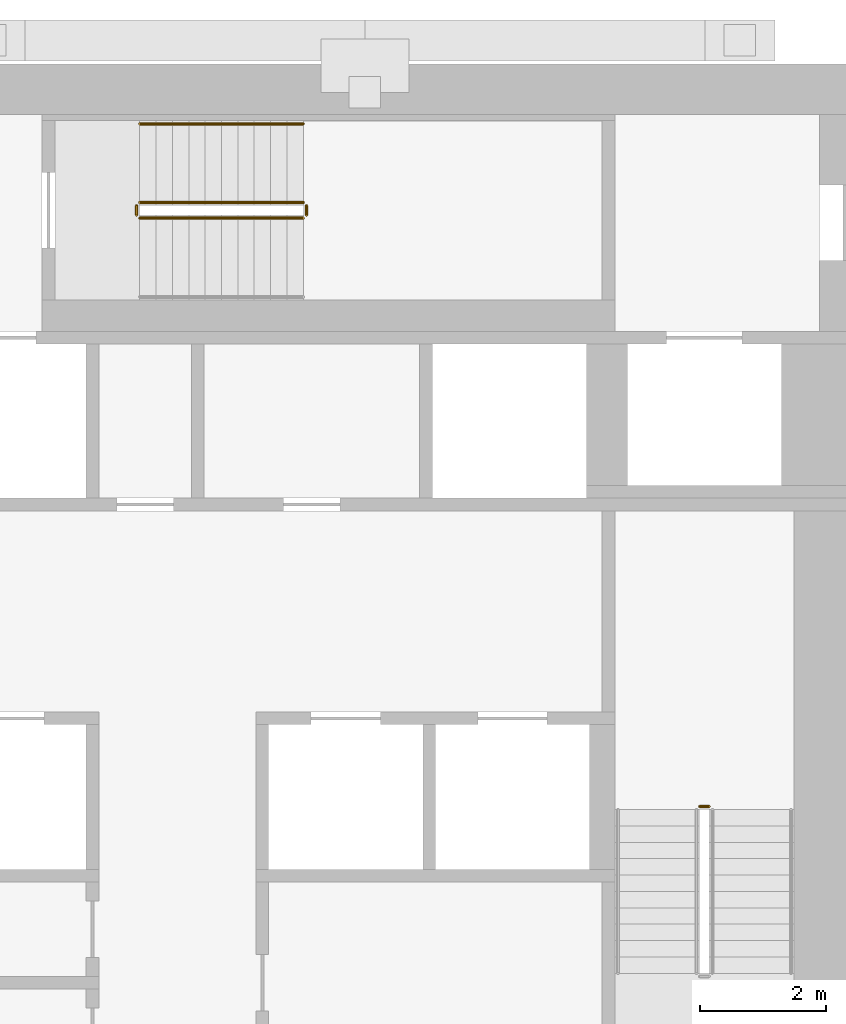
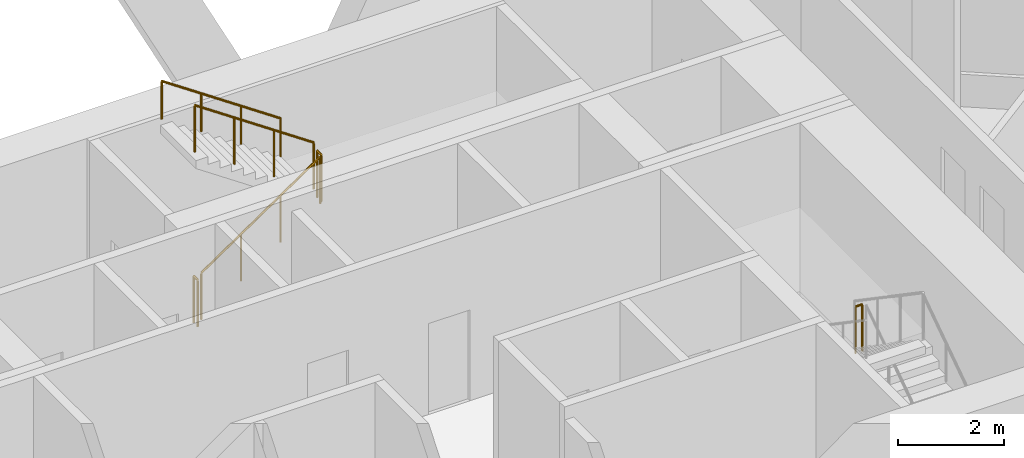
# One storey, part 10 of 10: 6 railings.
"""IFC4 building model written with IfcOpenShell, lengths in metres."""

import ifcopenshell
import ifcopenshell.guid

model = None  # the IFC model being written
_history = None  # IfcOwnerHistory: only IFC2X3 demands one
_inside = {}  # id of a spatial element -> (the spatial element, [elements in it])
_under = {}  # id of a project, library or spatial element -> (it, [spatial elements below it])
_declared = {}  # id of a project -> (the project, [libraries it declares])
_typed = {}  # id of a type object -> (the type object, [elements of that type])
_made_of = {}  # id of a material, layer set ... -> (it, [elements and type objects made of it])


def new_model(schema):
    """Start an empty IFC model of exactly this schema.

    Asked for "IFC4X3", IfcOpenShell would pick the latest addendum, in which some entities
    have other attributes; the version numbers below select the first issue.
    IFC2X3 requires an IfcOwnerHistory on every rooted entity: one is made here for all.
    """
    global model, _history
    if schema == "IFC4X3":
        model = ifcopenshell.file(schema_version=(4, 3, 0, 0))
    else:
        model = ifcopenshell.file(schema=schema)
    _inside.clear()
    _under.clear()
    _declared.clear()
    _typed.clear()
    _made_of.clear()
    _history = None
    if model.schema == "IFC2X3":
        org = make("IfcOrganization", Name="unknown")
        user = make(
            "IfcPersonAndOrganization",
            ThePerson=make("IfcPerson", FamilyName="unknown"),
            TheOrganization=org,
        )
        app = make(
            "IfcApplication",
            ApplicationDeveloper=org,
            Version="unknown",
            ApplicationFullName="unknown",
            ApplicationIdentifier="unknown",
        )
        _history = make(
            "IfcOwnerHistory",
            OwningUser=user,
            OwningApplication=app,
            ChangeAction="ADDED",
            CreationDate=0,
        )
    return model


def make(cls, **values):
    """One entity of the class cls with the attributes given. An attribute that is None is left unset."""
    return model.create_entity(
        cls, **{name: value for name, value in values.items() if value is not None}
    )


def rooted(cls, **values):
    """An entity with a GlobalId (a new one), such as an element, a storey or a relation."""
    return make(cls, GlobalId=ifcopenshell.guid.new(), OwnerHistory=_history, **values)


def si_unit(unit_type, name, prefix=None):
    """IfcSIUnit, for example si_unit("LENGTHUNIT", "METRE", prefix="MILLI")."""
    return make("IfcSIUnit", UnitType=unit_type, Prefix=prefix, Name=name)


def assignment(units):
    """IfcUnitAssignment: the units of a project."""
    return None if units is None else make("IfcUnitAssignment", Units=units)


def point(xyz):
    """IfcCartesianPoint."""
    return None if xyz is None else make("IfcCartesianPoint", Coordinates=xyz)


def direction(xyz):
    """IfcDirection."""
    return None if xyz is None else make("IfcDirection", DirectionRatios=xyz)


def frame(location, z_axis=None, x_axis=None):
    """IfcAxis2Placement3D, a coordinate frame: its origin and axes. An axis left out is left unset."""
    return make(
        "IfcAxis2Placement3D",
        Location=point(location),
        Axis=direction(z_axis),
        RefDirection=direction(x_axis),
    )


def frame_2d(location, x_axis=None):
    """IfcAxis2Placement2D, a coordinate frame in the plane: its origin and x axis."""
    return make(
        "IfcAxis2Placement2D", Location=point(location), RefDirection=direction(x_axis)
    )


def origin():
    """The frame at (0, 0, 0) with its axes left unset."""
    return frame((0.0, 0.0, 0.0))


def origin_2d():
    """The frame at (0, 0) in the plane with its x axis left unset."""
    return frame_2d((0.0, 0.0))


def place(relative_to, where):
    """IfcLocalPlacement: puts the frame where relative to a parent placement (None: the world)."""
    return make(
        "IfcLocalPlacement", PlacementRelTo=relative_to, RelativePlacement=where
    )


def context(
    kind, dimensions, precision=None, world=None, true_north=None, identifier=None
):
    """IfcGeometricRepresentationContext, for example the 3D "Model" context."""
    return make(
        "IfcGeometricRepresentationContext",
        ContextIdentifier=identifier,
        ContextType=kind,
        CoordinateSpaceDimension=dimensions,
        Precision=precision,
        WorldCoordinateSystem=world,
        TrueNorth=true_north,
    )


def subcontext(parent, identifier, kind, view, scale=None):
    """IfcGeometricRepresentationSubContext, for example "Body" below "Model"."""
    return make(
        "IfcGeometricRepresentationSubContext",
        ContextIdentifier=identifier,
        ContextType=kind,
        ParentContext=parent,
        TargetScale=scale,
        TargetView=view,
    )


def project(units=None, contexts=None):
    """IfcProject with its units and contexts."""
    return rooted(
        "IfcProject",
        Name="project",
        RepresentationContexts=contexts,
        UnitsInContext=assignment(units),
    )


def spatial(cls, under=None, at=None, **own):
    """A site, building, storey or space (cls), placed at a placement, below another one or the project."""
    s = rooted(cls, ObjectPlacement=at, **own)
    if under is not None:
        _under.setdefault(under.id(), (under, []))[1].append(s)
    return s


def profile(cls, at=None, kind="AREA", **sizes):
    """A parametric profile (cls). Its sizes go by their IFC names, for example OverallWidth=200.0."""
    return make(cls, ProfileType=kind, Position=at, **sizes)


def circle(**sizes):
    """IfcCircleProfileDef."""
    return profile("IfcCircleProfileDef", **sizes)


def extrude(swept, where, along, depth):
    """IfcExtrudedAreaSolid: the profile swept, set in the frame where, extruded along a direction by depth."""
    return make(
        "IfcExtrudedAreaSolid",
        SweptArea=swept,
        Position=where,
        ExtrudedDirection=direction(along),
        Depth=depth,
    )


def shape(context_of_items, identifier, shape_type, items):
    """IfcShapeRepresentation: the items that make up one representation, for example the "Body"."""
    return make(
        "IfcShapeRepresentation",
        ContextOfItems=context_of_items,
        RepresentationIdentifier=identifier,
        RepresentationType=shape_type,
        Items=items,
    )


def material(Name=None, Category=None):
    """IfcMaterial."""
    return make("IfcMaterial", Name=Name, Category=Category)


def made_of(thing, what):
    """Note that an element or type object is made of a material, layer set ...; save() writes the relation."""
    if what is not None:
        _made_of.setdefault(what.id(), (what, []))[1].append(thing)
    return thing


def type_object(cls, material=None, **own):
    """A type object (cls), such as IfcWallType, which elements share."""
    return made_of(rooted(cls, **own), material)


def element(
    cls,
    number,
    at=None,
    inside=None,
    cuts=None,
    type_object=None,
    material=None,
    context=None,
    identifier="Body",
    shape_type=None,
    held_by="IfcProductDefinitionShape",
    body=None,
    shapes=None,
    **own,
):
    """One element of the class cls, such as IfcWall. Its Tag is "e" and its number.

    at: its placement. inside: the storey or other place that contains it. cuts: it is an
    opening in that element (IfcRelVoidsElement). A single representation is given by context,
    identifier, shape_type and body (its items); several are given by shapes. held_by: the class
    of the entity that holds the representations. save() writes the other relations.
    """
    e = rooted(cls, Tag="e%d" % number, ObjectPlacement=at, **own)
    if body is not None:
        shapes = [shape(context, identifier, shape_type, body)]
    if shapes is not None:
        e.Representation = make(held_by, Representations=shapes)
    if inside is not None:
        _inside.setdefault(inside.id(), (inside, []))[1].append(e)
    if cuts is not None:
        rooted(
            "IfcRelVoidsElement", RelatingBuildingElement=cuts, RelatedOpeningElement=e
        )
    if type_object is not None:
        _typed.setdefault(type_object.id(), (type_object, []))[1].append(e)
    return made_of(e, material)


def aggregate(whole, parts):
    """IfcRelAggregates: a whole, such as a stair, and the parts it consists of."""
    return rooted("IfcRelAggregates", RelatingObject=whole, RelatedObjects=parts)


def save(model, path):
    """Write the relations noted so far, then the file.

    IfcRelAggregates (storeys below a building ...), IfcRelContainedInSpatialStructure (elements
    in a storey), IfcRelDefinesByType, IfcRelAssociatesMaterial and IfcRelDeclares: one each for
    every whole, place, type object, material and project.
    """
    for whole, parts in _under.values():
        aggregate(whole, parts)
    for where, things in _inside.values():
        rooted(
            "IfcRelContainedInSpatialStructure",
            RelatedElements=things,
            RelatingStructure=where,
        )
    for kind, things in _typed.values():
        rooted("IfcRelDefinesByType", RelatedObjects=things, RelatingType=kind)
    for what, things in _made_of.values():
        rooted("IfcRelAssociatesMaterial", RelatedObjects=things, RelatingMaterial=what)
    for by, libraries in _declared.values():
        rooted("IfcRelDeclares", RelatingContext=by, RelatedDefinitions=libraries)
    model.write(path)


model = new_model("IFC4")

# Units and contexts
model_context = context("Model", 3, precision=1e-05, world=origin(), true_north=direction((0.0, 1.0)))
body_context = subcontext(model_context, "Body", "Model", "MODEL_VIEW")
ifc_project = project(units=[si_unit("LENGTHUNIT", "METRE"), si_unit("AREAUNIT", "SQUARE_METRE"), si_unit("VOLUMEUNIT", "CUBIC_METRE"), si_unit("PLANEANGLEUNIT", "RADIAN"), si_unit("MASSUNIT", "GRAM", prefix="KILO")], contexts=[model_context])

# Site, building, storey
site_placement = place(None, origin())
site = spatial("IfcSite", under=ifc_project, at=site_placement, CompositionType="ELEMENT")
building_placement = place(site_placement, origin())
building = spatial("IfcBuilding", under=site, at=building_placement, Name="White Candle Pilgrim Tower", CompositionType="ELEMENT")
storey_placement = place(building_placement, frame((0.0, 0.0, 231.60009765625)))
storey = spatial("IfcBuildingStorey", under=building, at=storey_placement, Name="L54", CompositionType="ELEMENT", Elevation=231.60009765625)

# Railings
ifc_material = material(Name="Stainless steel", Category="steel")
railing_type_1 = type_object("IfcRailingType", Name="Stair guard stainless steel 1100 mm", PredefinedType="GUARDRAIL", material=ifc_material)
railing_1_placement = place(storey_placement, frame((78.449951171875, 76.199951171875, 1.949951171875)))
element("IfcRailing", 1, at=railing_1_placement, inside=storey, type_object=railing_type_1, Name="L54 ST2 stair guard 2", PredefinedType="GUARDRAIL", context=body_context, shape_type="SweptSolid", body=[
    extrude(circle(Radius=0.02392578125, at=origin_2d()), frame((0.0, 0.0, 1.076171875), z_axis=(-1.0, 0.0, 0.0), x_axis=(0.0, -1.0, 0.0)), (0.0, 0.0, 1.0), 0.14990234375),
    extrude(circle(Radius=0.02099609375, at=origin_2d()), origin(), (0.0, 0.0, 1.0), 1.052001953125),
    extrude(circle(Radius=0.02099609375, at=origin_2d()), frame((-0.14990234375, 0.0, 0.0)), (0.0, 0.0, 1.0), 1.052001953125),
])
railing_2_placement = place(storey_placement, frame((69.39990234375, 85.550048828125, 0.17724609375)))
element("IfcRailing", 2, at=railing_2_placement, inside=storey, type_object=railing_type_1, Name="L54 ST3 stair guard 1", PredefinedType="GUARDRAIL", context=body_context, shape_type="SweptSolid", body=[
    extrude(circle(Radius=0.02392578125, at=origin_2d()), frame((0.0, 0.0, 1.076171875), z_axis=(0.826240473404, 0.0, 0.563317565952), x_axis=(0.0, 1.0, 0.0)), (0.0, 0.0, 1.0), 3.14697265625),
    extrude(circle(Radius=0.02099609375, at=origin_2d()), origin(), (0.0, 0.0, 1.0), 1.052001953125),
    extrude(circle(Radius=0.02099609375, at=origin_2d()), frame((0.86669921875, 0.0, 0.5908203125)), (0.0, 0.0, 1.0), 1.052001953125),
    extrude(circle(Radius=0.02099609375, at=origin_2d()), frame((1.7333984375, 0.0, 1.181884765625)), (0.0, 0.0, 1.0), 1.052001953125),
    extrude(circle(Radius=0.02099609375, at=origin_2d()), frame((2.60009765625, 0.0, 1.772705078125)), (0.0, 0.0, 1.0), 1.052001953125),
])
railing_3_placement = place(storey_placement, frame((72.050048828125, 85.60009765625, 1.949951171875)))
element("IfcRailing", 3, at=railing_3_placement, inside=storey, type_object=railing_type_1, Name="L54 ST3 stair guard 2", PredefinedType="GUARDRAIL", context=body_context, shape_type="SweptSolid", body=[
    extrude(circle(Radius=0.02392578125, at=origin_2d()), frame((0.0, 0.0, 1.076171875), z_axis=(0.0, 1.0, 0.0), x_axis=(-1.0, 0.0, 0.0)), (0.0, 0.0, 1.0), 0.14990234375),
    extrude(circle(Radius=0.02099609375, at=origin_2d()), origin(), (0.0, 0.0, 1.0), 1.052001953125),
    extrude(circle(Radius=0.02099609375, at=origin_2d()), frame((0.0, 0.14990234375, 0.0)), (0.0, 0.0, 1.0), 1.052001953125),
])
railing_4_placement = place(storey_placement, frame((72.0, 85.800048828125, 2.127197265625)))
element("IfcRailing", 4, at=railing_4_placement, inside=storey, type_object=railing_type_1, Name="L54 ST3 stair guard 3", PredefinedType="GUARDRAIL", context=body_context, shape_type="SweptSolid", body=[
    extrude(circle(Radius=0.02392578125, at=origin_2d()), frame((0.0, 0.0, 1.076171875), z_axis=(-0.826240473404, 0.0, 0.563317565952), x_axis=(0.0, -1.0, 0.0)), (0.0, 0.0, 1.0), 3.14697265625),
    extrude(circle(Radius=0.02099609375, at=origin_2d()), origin(), (0.0, 0.0, 1.0), 1.052001953125),
    extrude(circle(Radius=0.02099609375, at=origin_2d()), frame((-0.86669921875, 0.0, 0.5908203125)), (0.0, 0.0, 1.0), 1.052001953125),
    extrude(circle(Radius=0.02099609375, at=origin_2d()), frame((-1.7333984375, 0.0, 1.181884765625)), (0.0, 0.0, 1.0), 1.052001953125),
    extrude(circle(Radius=0.02099609375, at=origin_2d()), frame((-2.60009765625, 0.0, 1.772705078125)), (0.0, 0.0, 1.0), 1.052001953125),
])
railing_5_placement = place(storey_placement, frame((69.35009765625, 85.60009765625, 0.0)))
element("IfcRailing", 5, at=railing_5_placement, inside=storey, type_object=railing_type_1, Name="L54 ST3 stair guard 4", PredefinedType="GUARDRAIL", context=body_context, shape_type="SweptSolid", body=[
    extrude(circle(Radius=0.02392578125, at=origin_2d()), frame((0.0, 0.0, 1.076171875), z_axis=(0.0, 1.0, 0.0), x_axis=(-1.0, 0.0, 0.0)), (0.0, 0.0, 1.0), 0.14990234375),
    extrude(circle(Radius=0.02099609375, at=origin_2d()), origin(), (0.0, 0.0, 1.0), 1.052001953125),
    extrude(circle(Radius=0.02099609375, at=origin_2d()), frame((0.0, 0.14990234375, 0.0)), (0.0, 0.0, 1.0), 1.052001953125),
])
railing_type_2 = type_object("IfcRailingType", Name="Stair handrail stainless steel", PredefinedType="HANDRAIL", material=ifc_material)
railing_6_placement = place(storey_placement, frame((72.0, 87.050048828125, 2.127197265625)))
element("IfcRailing", 6, at=railing_6_placement, inside=storey, type_object=railing_type_2, Name="L54 ST3 stair handrail 2", PredefinedType="HANDRAIL", context=body_context, shape_type="SweptSolid", body=[
    extrude(circle(Radius=0.02392578125, at=origin_2d()), frame((0.0, 0.0, 0.8759765625), z_axis=(-0.826240473404, 0.0, 0.563317565952), x_axis=(0.0, -1.0, 0.0)), (0.0, 0.0, 1.0), 3.14697265625),
    extrude(circle(Radius=0.02099609375, at=origin_2d()), origin(), (0.0, 0.0, 1.0), 0.851806640625),
    extrude(circle(Radius=0.02099609375, at=origin_2d()), frame((-0.86669921875, 0.0, 0.5908203125)), (0.0, 0.0, 1.0), 0.851806640625),
    extrude(circle(Radius=0.02099609375, at=origin_2d()), frame((-1.7333984375, 0.0, 1.181884765625)), (0.0, 0.0, 1.0), 0.851806640625),
    extrude(circle(Radius=0.02099609375, at=origin_2d()), frame((-2.60009765625, 0.0, 1.772705078125)), (0.0, 0.0, 1.0), 0.851806640625),
])

save(model, "model.ifc")
